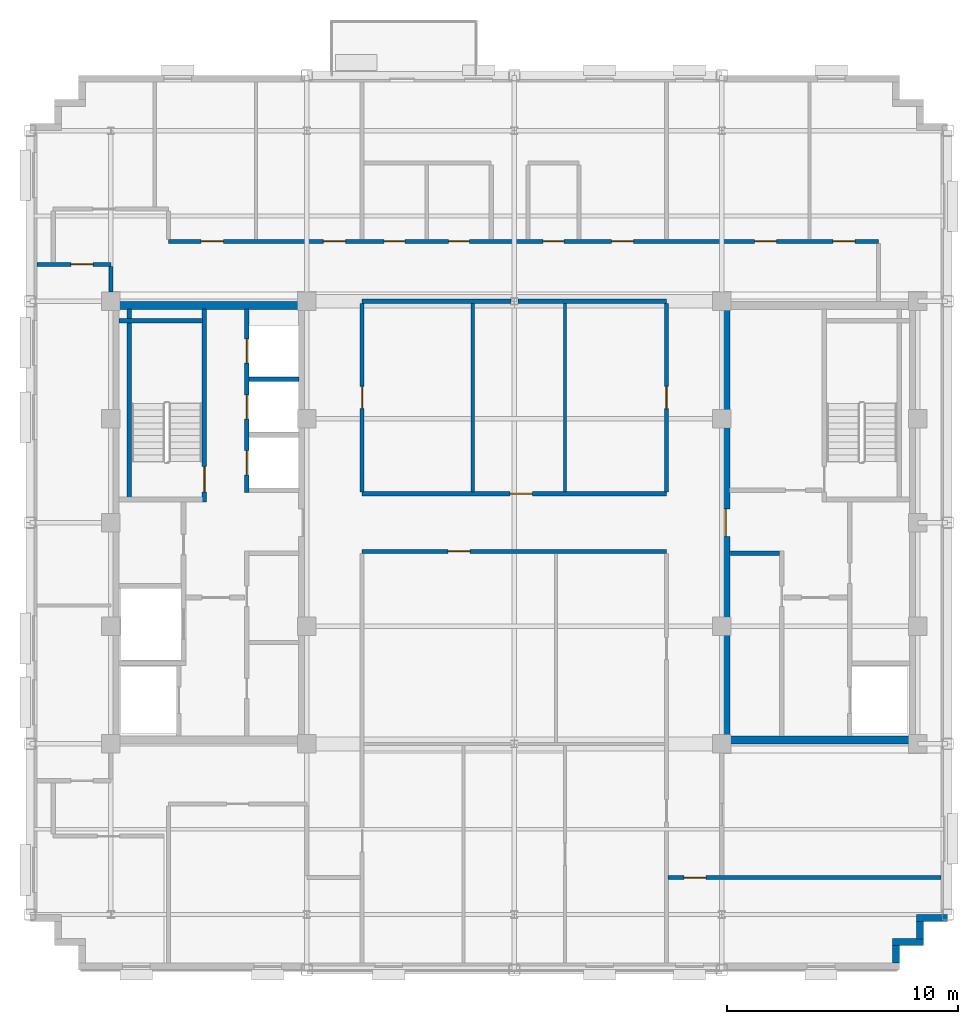
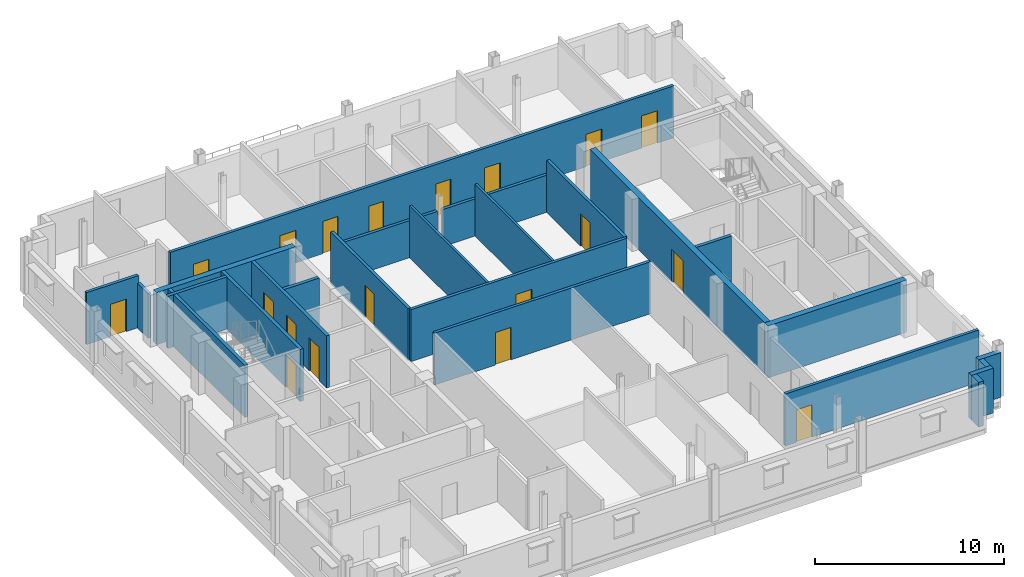
# One storey, part 7 of 14: 25 walls, 19 doors, 19 openings.
"""IFC4 building model written with IfcOpenShell, lengths in metres."""

from ifc_helpers import new_model, si_unit, direction, frame, frame_2d, origin, place, context, subcontext, project, spatial, rectangle, extrude, source, transform, mapped, material, layer, layer_set, type_object, type_shapes, element, fill, save


model = new_model("IFC4")

# Units and contexts
model_context = context("Model", 3, precision=1e-05, world=origin(), true_north=direction((0.0, 1.0)))
body_context = subcontext(model_context, "Body", "Model", "MODEL_VIEW")
ifc_project = project(units=[si_unit("LENGTHUNIT", "METRE"), si_unit("AREAUNIT", "SQUARE_METRE"), si_unit("VOLUMEUNIT", "CUBIC_METRE"), si_unit("PLANEANGLEUNIT", "RADIAN"), si_unit("MASSUNIT", "GRAM", prefix="KILO")], contexts=[model_context])

# Site, building, storey
site_placement = place(None, origin())
site = spatial("IfcSite", under=ifc_project, at=site_placement, CompositionType="ELEMENT")
building_placement = place(site_placement, origin())
building = spatial("IfcBuilding", under=site, at=building_placement, Name="Nuvemarco Arch Tower", CompositionType="ELEMENT")
storey_placement = place(building_placement, frame((0.0, 0.0, 268.89990234375)))
storey = spatial("IfcBuildingStorey", under=building, at=storey_placement, Name="L71", CompositionType="ELEMENT", Elevation=268.89990234375)

# Walls
ifc_material_1 = material(Name="Precast concrete C45/55", Category="concrete")
ifc_layer_1 = layer(ifc_material_1, 0.300048828125, Name="EW-HIGH-300")
ifc_layer_set_1 = layer_set([ifc_layer_1], Name="Precast concrete C45/55")
wall_type_1 = type_object("IfcWallType", Name="EW-HIGH-300", PredefinedType="STANDARD", material=ifc_layer_set_1)
wall_1_placement = place(storey_placement, frame((16.550048828125, -19.10400390625, 0.0), z_axis=(0.0, 0.0, 1.0), x_axis=(0.0, 1.0, 0.0)))
element("IfcWall", 1, at=wall_1_placement, inside=storey, type_object=wall_type_1, Name="L71 exterior precast facade wall 2", PredefinedType="STANDARD", context=body_context, shape_type="SweptSolid", body=[
    extrude(rectangle(XDim=0.758056640625, YDim=0.300048828125, at=frame_2d((0.37890625, 0.0))), origin(), (0.0, 0.0, 1.0), 2.89208984375),
])
wall_2_placement = place(storey_placement, frame((16.39990234375, -18.199951171875, 0.0), z_axis=(0.0, 0.0, 1.0), x_axis=(1.0, 0.0, 0.0)))
element("IfcWall", 2, at=wall_2_placement, inside=storey, type_object=wall_type_1, Name="L71 exterior precast facade wall 3", PredefinedType="STANDARD", context=body_context, shape_type="SweptSolid", body=[
    extrude(rectangle(XDim=1.35009765625, YDim=0.300048828125, at=frame_2d((0.675048828125, 0.0))), origin(), (0.0, 0.0, 1.0), 2.89208984375),
])
wall_3_placement = place(storey_placement, frame((17.60009765625, -18.053955078125, 0.0), z_axis=(0.0, 0.0, 1.0), x_axis=(0.0, 1.0, 0.0)))
element("IfcWall", 3, at=wall_3_placement, inside=storey, type_object=wall_type_1, Name="L71 exterior precast facade wall 4", PredefinedType="STANDARD", context=body_context, shape_type="SweptSolid", body=[
    extrude(rectangle(XDim=0.758056640625, YDim=0.300048828125, at=frame_2d((0.37890625, 0.0))), origin(), (0.0, 0.0, 1.0), 2.89208984375),
])
wall_4_placement = place(storey_placement, frame((17.449951171875, -17.14990234375, 0.0), z_axis=(0.0, 0.0, 1.0), x_axis=(1.0, 0.0, 0.0)))
element("IfcWall", 4, at=wall_4_placement, inside=storey, type_object=wall_type_1, Name="L71 exterior precast facade wall 5", PredefinedType="STANDARD", context=body_context, shape_type="SweptSolid", body=[
    extrude(rectangle(XDim=1.35009765625, YDim=0.300048828125, at=frame_2d((0.675048828125, 0.0))), origin(), (0.0, 0.0, 1.0), 2.89208984375),
])
ifc_material_2 = material(Name="Concrete C50/60", Category="concrete")
ifc_layer_2 = layer(ifc_material_2, 0.35009765625, Name="WL-CORE-350")
ifc_layer_set_2 = layer_set([ifc_layer_2], Name="Concrete C50/60")
wall_type_2 = type_object("IfcWallType", Name="WL-CORE-350", PredefinedType="SHEAR", material=ifc_layer_set_2)
for number, where, z_axis, x_axis, name in (
    (5, (-17.5, 9.425048828125, 0.0), (0.0, 0.0, 1.0), (1.0, 0.0, 0.0), "L71 W-core shear wall N"),
    (6, (9.0, -9.425048828125, 0.0), (0.0, 0.0, 1.0), (1.0, 0.0, 0.0), "L71 E-core shear wall S"),
):
    element("IfcWall", number, at=place(storey_placement, frame(where, z_axis=z_axis, x_axis=x_axis)), inside=storey, type_object=wall_type_2, Name=name, PredefinedType="SHEAR", context=body_context, shape_type="SweptSolid", body=[
        extrude(rectangle(XDim=8.5, YDim=0.35009765625, at=frame_2d((4.25, 0.0))), origin(), (0.0, 0.0, 1.0), 3.3701171875),
    ])

# Wall, opening, door
wall_5_placement = place(storey_placement, frame((9.175048828125, -9.2548828125, 0.0), z_axis=(0.0, 0.0, 1.0), x_axis=(0.0, 1.0, 0.0)))
wall_5 = element("IfcWall", 7, at=wall_5_placement, inside=storey, type_object=wall_type_2, Name="L71 E-core shear wall W", PredefinedType="SHEAR", context=body_context, shape_type="SweptSolid", body=[
    extrude(rectangle(XDim=18.509765625, YDim=0.35009765625, at=frame_2d((9.2548828125, 0.0))), origin(), (0.0, 0.0, 1.0), 3.3701171875),
])
opening_1_placement = place(wall_5_placement, frame((8.655029296875, 0.0, 0.0)))
opening_1 = element("IfcOpeningElement", 8, at=opening_1_placement, cuts=wall_5, Name="Opening FD-2", PredefinedType="OPENING", context=body_context, shape_type="SweptSolid", body=[
    extrude(rectangle(XDim=1.199951171875, YDim=2.14990234375, at=frame_2d((0.60009765625, 1.074951171875))), frame((0.0, 0.18505859375, 0.0), z_axis=(0.0, -1.0, 0.0), x_axis=(1.0, 0.0, 0.0)), (0.0, 0.0, 1.0), 0.3701171875),
])
ifc_material_3 = material(Name="Anodised steel fire door", Category="steel")
door_type_1 = type_object("IfcDoorType", Name="DR-FFLOB-FD", OperationType="NOTDEFINED", PredefinedType="DOOR", material=ifc_material_3)
shared_shape_1 = source(origin(), body_context, "Body", "SweptSolid", [
    extrude(rectangle(XDim=1.199951171875, YDim=2.14990234375, at=frame_2d((0.60009765625, 1.074951171875))), frame((0.0, 0.02490234375, 0.0), z_axis=(0.0, -1.0, 0.0), x_axis=(1.0, 0.0, 0.0)), (0.0, 0.0, 1.0), 0.050048828125),
])
type_shapes(door_type_1, [shared_shape_1])
door_1_placement = place(opening_1_placement, origin())
door_1 = element("IfcDoor", 9, at=door_1_placement, inside=storey, type_object=door_type_1, Name="L71 door FD-L71-ECORE-W", OperationType="SINGLE_SWING_LEFT", OverallHeight=2.14990234375, OverallWidth=1.199951171875, PredefinedType="DOOR", context=body_context, shape_type="MappedRepresentation", body=[
    mapped(shared_shape_1, transform((0.0, 0.0, 0.0), scale=1.0)),
])
fill(opening_1, door_1)

ifc_material_4 = material(Name="Fire-rated gypsum drywall partition")
ifc_layer_3 = layer(ifc_material_4, 0.179931640625, Name="WL-CORR-180")
ifc_layer_set_3 = layer_set([ifc_layer_3], Name="Fire-rated gypsum drywall partition")
wall_type_3 = type_object("IfcWallType", Name="WL-CORR-180", PredefinedType="PARTITIONING", material=ifc_layer_set_3)
wall_6_placement = place(storey_placement, frame((6.660888671875, -15.39990234375, 0.0), z_axis=(0.0, 0.0, 1.0), x_axis=(1.0, 0.0, 0.0)))
wall_6 = element("IfcWall", 10, at=wall_6_placement, inside=storey, type_object=wall_type_3, Name="L71 interior wall IW-L71-002", PredefinedType="PARTITIONING", context=body_context, shape_type="SweptSolid", body=[
    extrude(rectangle(XDim=11.839111328125, YDim=0.179931640625, at=frame_2d((5.91943359375, 0.0))), origin(), (0.0, 0.0, 1.0), 3.360107421875),
])
opening_2_placement = place(wall_6_placement, frame((0.689453125, 0.0, 0.0)))
opening_2 = element("IfcOpeningElement", 11, at=opening_2_placement, cuts=wall_6, Name="Opening FD-5", PredefinedType="OPENING", context=body_context, shape_type="SweptSolid", body=[
    extrude(rectangle(XDim=0.9599609375, YDim=2.10009765625, at=frame_2d((0.47998046875, 1.050048828125))), frame((0.0, 0.099853515625, 0.0), z_axis=(0.0, -1.0, 0.0), x_axis=(1.0, 0.0, 0.0)), (0.0, 0.0, 1.0), 0.199951171875),
])
ifc_material_5 = material(Name="Timber fire door", Category="wood")
door_type_2 = type_object("IfcDoorType", Name="DR-CORR-FD", OperationType="NOTDEFINED", PredefinedType="DOOR", material=ifc_material_5)
shared_shape_2 = source(origin(), body_context, "Body", "SweptSolid", [
    extrude(rectangle(XDim=0.9599609375, YDim=2.10009765625, at=frame_2d((0.47998046875, 1.050048828125))), frame((0.0, 0.02490234375, 0.0), z_axis=(0.0, -1.0, 0.0), x_axis=(1.0, 0.0, 0.0)), (0.0, 0.0, 1.0), 0.050048828125),
])
type_shapes(door_type_2, [shared_shape_2])
door_2_placement = place(opening_2_placement, origin())
door_2 = element("IfcDoor", 12, at=door_2_placement, inside=storey, type_object=door_type_2, Name="L71 door DR-L71-S_7", OperationType="SINGLE_SWING_LEFT", OverallHeight=2.10009765625, OverallWidth=0.9599609375, PredefinedType="DOOR", context=body_context, shape_type="MappedRepresentation", body=[
    mapped(shared_shape_2, transform((0.0, 0.0, 0.0), scale=1.0)),
])
fill(opening_2, door_2)

wall_7_placement = place(storey_placement, frame((-6.60009765625, -1.25, 0.0), z_axis=(0.0, 0.0, 1.0), x_axis=(1.0, 0.0, 0.0)))
wall_7 = element("IfcWall", 13, at=wall_7_placement, inside=storey, type_object=wall_type_3, Name="L71 interior wall IW-L71-009", PredefinedType="PARTITIONING", context=body_context, shape_type="SweptSolid", body=[
    extrude(rectangle(XDim=13.2001953125, YDim=0.179931640625, at=frame_2d((6.60009765625, 0.0))), origin(), (0.0, 0.0, 1.0), 3.360107421875),
])
opening_3_placement = place(wall_7_placement, frame((3.719970703125, 0.0, 0.0)))
opening_3 = element("IfcOpeningElement", 14, at=opening_3_placement, cuts=wall_7, Name="Opening FD-5", PredefinedType="OPENING", context=body_context, shape_type="SweptSolid", body=[
    extrude(rectangle(XDim=0.9599609375, YDim=2.10009765625, at=frame_2d((0.47998046875, 1.050048828125))), frame((0.0, 0.099853515625, 0.0), z_axis=(0.0, -1.0, 0.0), x_axis=(1.0, 0.0, 0.0)), (0.0, 0.0, 1.0), 0.199951171875),
])
door_3_placement = place(opening_3_placement, origin())
door_3 = element("IfcDoor", 15, at=door_3_placement, inside=storey, type_object=door_type_2, Name="L71 door DR-L71-C_S1", OperationType="SINGLE_SWING_LEFT", OverallHeight=2.10009765625, OverallWidth=0.9599609375, PredefinedType="DOOR", context=body_context, shape_type="MappedRepresentation", body=[
    mapped(shared_shape_2, transform((0.0, 0.0, 0.0), scale=1.0)),
])
fill(opening_3, door_3)

wall_8_placement = place(storey_placement, frame((-6.60009765625, 1.25, 0.0), z_axis=(0.0, 0.0, 1.0), x_axis=(1.0, 0.0, 0.0)))
wall_8 = element("IfcWall", 16, at=wall_8_placement, inside=storey, type_object=wall_type_3, Name="L71 interior wall IW-L71-010", PredefinedType="PARTITIONING", context=body_context, shape_type="SweptSolid", body=[
    extrude(rectangle(XDim=13.2001953125, YDim=0.179931640625, at=frame_2d((6.60009765625, 0.0))), origin(), (0.0, 0.0, 1.0), 3.360107421875),
])
opening_4_placement = place(wall_8_placement, frame((6.419921875, 0.0, 0.0)))
opening_4 = element("IfcOpeningElement", 17, at=opening_4_placement, cuts=wall_8, Name="Opening FD-5", PredefinedType="OPENING", context=body_context, shape_type="SweptSolid", body=[
    extrude(rectangle(XDim=0.9599609375, YDim=2.10009765625, at=frame_2d((0.47998046875, 1.050048828125))), frame((0.0, 0.099853515625, 0.0), z_axis=(0.0, -1.0, 0.0), x_axis=(1.0, 0.0, 0.0)), (0.0, 0.0, 1.0), 0.199951171875),
])
door_4_placement = place(opening_4_placement, origin())
door_4 = element("IfcDoor", 18, at=door_4_placement, inside=storey, type_object=door_type_2, Name="L71 door DR-L71-C_N2", OperationType="SINGLE_SWING_RIGHT", OverallHeight=2.10009765625, OverallWidth=0.9599609375, PredefinedType="DOOR", context=body_context, shape_type="MappedRepresentation", body=[
    mapped(shared_shape_2, transform((0.0, 0.0, 0.0), scale=1.0)),
])
fill(opening_4, door_4)

# Walls
for number, where, z_axis, x_axis, name in (
    (19, (-6.60009765625, 9.60009765625, 0.0), (0.0, 0.0, 1.0), (1.0, 0.0, 0.0), "L71 interior wall IW-L71-011"),
    (20, (0.15087890625, 9.60009765625, 0.0), (0.0, 0.0, 1.0), (1.0, 0.0, 0.0), "L71 interior wall IW-L71-012"),
):
    element("IfcWall", number, at=place(storey_placement, frame(where, z_axis=z_axis, x_axis=x_axis)), inside=storey, type_object=wall_type_3, Name=name, PredefinedType="PARTITIONING", context=body_context, shape_type="SweptSolid", body=[
        extrude(rectangle(XDim=6.44921875, YDim=0.179931640625, at=frame_2d((3.224609375, 0.0))), origin(), (0.0, 0.0, 1.0), 2.405029296875),
    ])

# Wall, opening, door
wall_9_placement = place(storey_placement, frame((-20.699951171875, 11.199951171875, 0.0), z_axis=(0.0, 0.0, 1.0), x_axis=(1.0, 0.0, 0.0)))
wall_9 = element("IfcWall", 21, at=wall_9_placement, inside=storey, type_object=wall_type_3, Name="L71 interior wall IW-L71-013", PredefinedType="PARTITIONING", context=body_context, shape_type="SweptSolid", body=[
    extrude(rectangle(XDim=3.199951171875, YDim=0.179931640625, at=frame_2d((1.60009765625, 0.0))), origin(), (0.0, 0.0, 1.0), 3.360107421875),
])
opening_5_placement = place(wall_9_placement, frame((1.469970703125, 0.0, 0.0)))
opening_5 = element("IfcOpeningElement", 22, at=opening_5_placement, cuts=wall_9, Name="Opening FD-5", PredefinedType="OPENING", context=body_context, shape_type="SweptSolid", body=[
    extrude(rectangle(XDim=0.9599609375, YDim=2.10009765625, at=frame_2d((0.47998046875, 1.050048828125))), frame((0.0, 0.099853515625, 0.0), z_axis=(0.0, -1.0, 0.0), x_axis=(1.0, 0.0, 0.0)), (0.0, 0.0, 1.0), 0.199951171875),
])
door_5_placement = place(opening_5_placement, origin())
door_5 = element("IfcDoor", 23, at=door_5_placement, inside=storey, type_object=door_type_2, Name="L71 door DR-L71-W_2", OperationType="SINGLE_SWING_LEFT", OverallHeight=2.10009765625, OverallWidth=0.9599609375, PredefinedType="DOOR", context=body_context, shape_type="MappedRepresentation", body=[
    mapped(shared_shape_2, transform((0.0, 0.0, 0.0), scale=1.0)),
])
fill(opening_5, door_5)

# Wall, openings, doors
wall_10_placement = place(storey_placement, frame((-15.0, 12.199951171875, 0.0), z_axis=(0.0, 0.0, 1.0), x_axis=(1.0, 0.0, 0.0)))
wall_10 = element("IfcWall", 24, at=wall_10_placement, inside=storey, type_object=wall_type_3, Name="L71 interior wall IW-L71-014", PredefinedType="PARTITIONING", context=body_context, shape_type="SweptSolid", body=[
    extrude(rectangle(XDim=30.800048828125, YDim=0.179931640625, at=frame_2d((15.39990234375, 0.0))), origin(), (0.0, 0.0, 1.0), 3.360107421875),
])
opening_6_placement = place(wall_10_placement, frame((1.419921875, 0.0, 0.0)))
opening_6 = element("IfcOpeningElement", 25, at=opening_6_placement, cuts=wall_10, Name="Opening FD-5", PredefinedType="OPENING", context=body_context, shape_type="SweptSolid", body=[
    extrude(rectangle(XDim=0.9599609375, YDim=2.10009765625, at=frame_2d((0.47998046875, 1.050048828125))), frame((0.0, 0.099853515625, 0.0), z_axis=(0.0, -1.0, 0.0), x_axis=(1.0, 0.0, 0.0)), (0.0, 0.0, 1.0), 0.199951171875),
])
opening_7_placement = place(wall_10_placement, frame((25.419921875, 0.0, 0.0)))
opening_7 = element("IfcOpeningElement", 26, at=opening_7_placement, cuts=wall_10, Name="Opening FD-5", PredefinedType="OPENING", context=body_context, shape_type="SweptSolid", body=[
    extrude(rectangle(XDim=0.9599609375, YDim=2.10009765625, at=frame_2d((0.47998046875, 1.050048828125))), frame((0.0, 0.099853515625, 0.0), z_axis=(0.0, -1.0, 0.0), x_axis=(1.0, 0.0, 0.0)), (0.0, 0.0, 1.0), 0.199951171875),
])
opening_8_placement = place(wall_10_placement, frame((19.219970703125, 0.0, 0.0)))
opening_8 = element("IfcOpeningElement", 27, at=opening_8_placement, cuts=wall_10, Name="Opening FD-5", PredefinedType="OPENING", context=body_context, shape_type="SweptSolid", body=[
    extrude(rectangle(XDim=0.9599609375, YDim=2.10009765625, at=frame_2d((0.47998046875, 1.050048828125))), frame((0.0, 0.099853515625, 0.0), z_axis=(0.0, -1.0, 0.0), x_axis=(1.0, 0.0, 0.0)), (0.0, 0.0, 1.0), 0.199951171875),
])
opening_9_placement = place(wall_10_placement, frame((28.820068359375, 0.0, 0.0)))
opening_9 = element("IfcOpeningElement", 28, at=opening_9_placement, cuts=wall_10, Name="Opening FD-5", PredefinedType="OPENING", context=body_context, shape_type="SweptSolid", body=[
    extrude(rectangle(XDim=0.9599609375, YDim=2.10009765625, at=frame_2d((0.47998046875, 1.050048828125))), frame((0.0, 0.099853515625, 0.0), z_axis=(0.0, -1.0, 0.0), x_axis=(1.0, 0.0, 0.0)), (0.0, 0.0, 1.0), 0.199951171875),
])
opening_10_placement = place(wall_10_placement, frame((9.35009765625, 0.0, 0.0)))
opening_10 = element("IfcOpeningElement", 29, at=opening_10_placement, cuts=wall_10, Name="Opening ID-3", PredefinedType="OPENING", context=body_context, shape_type="SweptSolid", body=[
    extrude(rectangle(XDim=0.89990234375, YDim=2.10009765625, at=frame_2d((0.449951171875, 1.050048828125))), frame((0.0, 0.099853515625, 0.0), z_axis=(0.0, -1.0, 0.0), x_axis=(1.0, 0.0, 0.0)), (0.0, 0.0, 1.0), 0.199951171875),
])
opening_11_placement = place(wall_10_placement, frame((12.14990234375, 0.0, 0.0)))
opening_11 = element("IfcOpeningElement", 30, at=opening_11_placement, cuts=wall_10, Name="Opening ID-3", PredefinedType="OPENING", context=body_context, shape_type="SweptSolid", body=[
    extrude(rectangle(XDim=0.89990234375, YDim=2.10009765625, at=frame_2d((0.449951171875, 1.050048828125))), frame((0.0, 0.099853515625, 0.0), z_axis=(0.0, -1.0, 0.0), x_axis=(1.0, 0.0, 0.0)), (0.0, 0.0, 1.0), 0.199951171875),
])
opening_12_placement = place(wall_10_placement, frame((6.719970703125, 0.0, 0.0)))
opening_12 = element("IfcOpeningElement", 31, at=opening_12_placement, cuts=wall_10, Name="Opening FD-5", PredefinedType="OPENING", context=body_context, shape_type="SweptSolid", body=[
    extrude(rectangle(XDim=0.9599609375, YDim=2.10009765625, at=frame_2d((0.47998046875, 1.050048828125))), frame((0.0, 0.099853515625, 0.0), z_axis=(0.0, -1.0, 0.0), x_axis=(1.0, 0.0, 0.0)), (0.0, 0.0, 1.0), 0.199951171875),
])
opening_13_placement = place(wall_10_placement, frame((16.25, 0.0, 0.0)))
opening_13 = element("IfcOpeningElement", 32, at=opening_13_placement, cuts=wall_10, Name="Opening ID-3", PredefinedType="OPENING", context=body_context, shape_type="SweptSolid", body=[
    extrude(rectangle(XDim=0.89990234375, YDim=2.10009765625, at=frame_2d((0.449951171875, 1.050048828125))), frame((0.0, 0.099853515625, 0.0), z_axis=(0.0, -1.0, 0.0), x_axis=(1.0, 0.0, 0.0)), (0.0, 0.0, 1.0), 0.199951171875),
])
door_6_placement = place(opening_6_placement, origin())
door_6 = element("IfcDoor", 33, at=door_6_placement, inside=storey, type_object=door_type_2, Name="L71 door DR-L71-N_2", OperationType="SINGLE_SWING_LEFT", OverallHeight=2.10009765625, OverallWidth=0.9599609375, PredefinedType="DOOR", context=body_context, shape_type="MappedRepresentation", body=[
    mapped(shared_shape_2, transform((0.0, 0.0, 0.0), scale=1.0)),
])
fill(opening_6, door_6)
door_7_placement = place(opening_7_placement, origin())
door_7 = element("IfcDoor", 34, at=door_7_placement, inside=storey, type_object=door_type_2, Name="L71 door DR-L71-N_5", OperationType="SINGLE_SWING_RIGHT", OverallHeight=2.10009765625, OverallWidth=0.9599609375, PredefinedType="DOOR", context=body_context, shape_type="MappedRepresentation", body=[
    mapped(shared_shape_2, transform((0.0, 0.0, 0.0), scale=1.0)),
])
fill(opening_7, door_7)
door_8_placement = place(opening_8_placement, origin())
door_8 = element("IfcDoor", 35, at=door_8_placement, inside=storey, type_object=door_type_2, Name="L71 door DR-L71-N_4", OperationType="SINGLE_SWING_LEFT", OverallHeight=2.10009765625, OverallWidth=0.9599609375, PredefinedType="DOOR", context=body_context, shape_type="MappedRepresentation", body=[
    mapped(shared_shape_2, transform((0.0, 0.0, 0.0), scale=1.0)),
])
fill(opening_8, door_8)
door_9_placement = place(opening_9_placement, origin())
door_9 = element("IfcDoor", 36, at=door_9_placement, inside=storey, type_object=door_type_2, Name="L71 door DR-L71-N_6", OperationType="SINGLE_SWING_LEFT", OverallHeight=2.10009765625, OverallWidth=0.9599609375, PredefinedType="DOOR", context=body_context, shape_type="MappedRepresentation", body=[
    mapped(shared_shape_2, transform((0.0, 0.0, 0.0), scale=1.0)),
])
fill(opening_9, door_9)
door_10_placement = place(opening_12_placement, origin())
door_10 = element("IfcDoor", 37, at=door_10_placement, inside=storey, type_object=door_type_2, Name="L71 door DR-L71-N_3", OperationType="SINGLE_SWING_RIGHT", OverallHeight=2.10009765625, OverallWidth=0.9599609375, PredefinedType="DOOR", context=body_context, shape_type="MappedRepresentation", body=[
    mapped(shared_shape_2, transform((0.0, 0.0, 0.0), scale=1.0)),
])
fill(opening_12, door_10)
ifc_material_6 = material(Name="Veneered oak timber fire door", Category="wood")
door_type_3 = type_object("IfcDoorType", Name="DR-WC-ACC", OperationType="NOTDEFINED", PredefinedType="DOOR", material=ifc_material_6)
shared_shape_3 = source(origin(), body_context, "Body", "SweptSolid", [
    extrude(rectangle(XDim=0.89990234375, YDim=2.10009765625, at=frame_2d((0.449951171875, 1.050048828125))), frame((0.0, 0.02490234375, 0.0), z_axis=(0.0, -1.0, 0.0), x_axis=(1.0, 0.0, 0.0)), (0.0, 0.0, 1.0), 0.050048828125),
])
type_shapes(door_type_3, [shared_shape_3])
door_11_placement = place(opening_10_placement, origin())
door_11 = element("IfcDoor", 38, at=door_11_placement, inside=storey, type_object=door_type_3, Name="L71 door DR-L71-WC_M", OperationType="SINGLE_SWING_RIGHT", OverallHeight=2.10009765625, OverallWidth=0.89990234375, PredefinedType="DOOR", context=body_context, shape_type="MappedRepresentation", body=[
    mapped(shared_shape_3, transform((0.0, 0.0, 0.0), scale=1.0)),
])
fill(opening_10, door_11)
door_12_placement = place(opening_11_placement, origin())
door_12 = element("IfcDoor", 39, at=door_12_placement, inside=storey, type_object=door_type_3, Name="L71 door DR-L71-WC_F", OperationType="SINGLE_SWING_LEFT", OverallHeight=2.10009765625, OverallWidth=0.89990234375, PredefinedType="DOOR", context=body_context, shape_type="MappedRepresentation", body=[
    mapped(shared_shape_3, transform((0.0, 0.0, 0.0), scale=1.0)),
])
fill(opening_11, door_12)
door_13_placement = place(opening_13_placement, origin())
door_13 = element("IfcDoor", 40, at=door_13_placement, inside=storey, type_object=door_type_3, Name="L71 door DR-L71-WC_ACC", OperationType="SINGLE_SWING_RIGHT", OverallHeight=2.10009765625, OverallWidth=0.89990234375, PredefinedType="DOOR", context=body_context, shape_type="MappedRepresentation", body=[
    mapped(shared_shape_3, transform((0.0, 0.0, 0.0), scale=1.0)),
])
fill(opening_13, door_13)

# Wall
wall_11_placement = place(storey_placement, frame((-17.5, 9.99609375, 0.0), z_axis=(0.0, 0.0, 1.0), x_axis=(0.0, 1.0, 0.0)))
element("IfcWall", 41, at=wall_11_placement, inside=storey, type_object=wall_type_3, Name="L71 interior wall IW-L71-021", PredefinedType="PARTITIONING", context=body_context, shape_type="SweptSolid", body=[
    extrude(rectangle(XDim=1.117919921875, YDim=0.179931640625, at=frame_2d((0.55908203125, 0.0))), origin(), (0.0, 0.0, 1.0), 2.89208984375),
])

# Wall, opening, door
wall_12_placement = place(storey_placement, frame((-6.60009765625, 1.3359375, 0.0), z_axis=(0.0, 0.0, 1.0), x_axis=(0.0, 1.0, 0.0)))
wall_12 = element("IfcWall", 42, at=wall_12_placement, inside=storey, type_object=wall_type_3, Name="L71 interior wall IW-L71-028", PredefinedType="PARTITIONING", context=body_context, shape_type="SweptSolid", body=[
    extrude(rectangle(XDim=8.177978515625, YDim=0.179931640625, at=frame_2d((4.0888671875, 0.0))), origin(), (0.0, 0.0, 1.0), 3.360107421875),
])
opening_14_placement = place(wall_12_placement, frame((3.60888671875, 0.0, 0.0)))
opening_14 = element("IfcOpeningElement", 43, at=opening_14_placement, cuts=wall_12, Name="Opening FD-5", PredefinedType="OPENING", context=body_context, shape_type="SweptSolid", body=[
    extrude(rectangle(XDim=0.9599609375, YDim=2.10009765625, at=frame_2d((0.47998046875, 1.050048828125))), frame((0.0, 0.099853515625, 0.0), z_axis=(0.0, -1.0, 0.0), x_axis=(1.0, 0.0, 0.0)), (0.0, 0.0, 1.0), 0.199951171875),
])
door_14_placement = place(opening_14_placement, origin())
door_14 = element("IfcDoor", 44, at=door_14_placement, inside=storey, type_object=door_type_2, Name="L71 door DR-L71-C_N1", OperationType="SINGLE_SWING_LEFT", OverallHeight=2.10009765625, OverallWidth=0.9599609375, PredefinedType="DOOR", context=body_context, shape_type="MappedRepresentation", body=[
    mapped(shared_shape_2, transform((0.0, 0.0, 0.0), scale=1.0)),
])
fill(opening_14, door_14)

wall_13_placement = place(storey_placement, frame((6.60009765625, 1.3359375, 0.0), z_axis=(0.0, 0.0, 1.0), x_axis=(0.0, 1.0, 0.0)))
wall_13 = element("IfcWall", 45, at=wall_13_placement, inside=storey, type_object=wall_type_3, Name="L71 interior wall IW-L71-040", PredefinedType="PARTITIONING", context=body_context, shape_type="SweptSolid", body=[
    extrude(rectangle(XDim=8.177978515625, YDim=0.179931640625, at=frame_2d((4.0888671875, 0.0))), origin(), (0.0, 0.0, 1.0), 3.360107421875),
])
opening_15_placement = place(wall_13_placement, frame((3.60888671875, 0.0, 0.0)))
opening_15 = element("IfcOpeningElement", 46, at=opening_15_placement, cuts=wall_13, Name="Opening FD-5", PredefinedType="OPENING", context=body_context, shape_type="SweptSolid", body=[
    extrude(rectangle(XDim=0.9599609375, YDim=2.10009765625, at=frame_2d((0.47998046875, 1.050048828125))), frame((0.0, 0.099853515625, 0.0), z_axis=(0.0, -1.0, 0.0), x_axis=(1.0, 0.0, 0.0)), (0.0, 0.0, 1.0), 0.199951171875),
])
door_15_placement = place(opening_15_placement, origin())
door_15 = element("IfcDoor", 47, at=door_15_placement, inside=storey, type_object=door_type_2, Name="L71 door DR-L71-C_N3", OperationType="SINGLE_SWING_RIGHT", OverallHeight=2.10009765625, OverallWidth=0.9599609375, PredefinedType="DOOR", context=body_context, shape_type="MappedRepresentation", body=[
    mapped(shared_shape_2, transform((0.0, 0.0, 0.0), scale=1.0)),
])
fill(opening_15, door_15)

# Walls
ifc_material_7 = material(Name="Gypsum plasterboard partition")
ifc_layer_4 = layer(ifc_material_7, 0.139892578125, Name="WL-ROOM-140")
ifc_layer_set_4 = layer_set([ifc_layer_4], Name="Gypsum plasterboard partition")
wall_type_4 = type_object("IfcWallType", Name="WL-ROOM-140", PredefinedType="PARTITIONING", material=ifc_layer_set_4)
for number, where, z_axis, x_axis, name in (
    (48, (-1.800048828125, 1.3359375, 0.0), (0.0, 0.0, 1.0), (0.0, 1.0, 0.0), "L71 interior wall IW-L71-032"),
    (49, (2.199951171875, 1.3359375, 0.0), (0.0, 0.0, 1.0), (0.0, 1.0, 0.0), "L71 interior wall IW-L71-037"),
):
    element("IfcWall", number, at=place(storey_placement, frame(where, z_axis=z_axis, x_axis=x_axis)), inside=storey, type_object=wall_type_4, Name=name, PredefinedType="PARTITIONING", context=body_context, shape_type="SweptSolid", body=[
        extrude(rectangle(XDim=8.177978515625, YDim=0.139892578125, at=frame_2d((4.0888671875, 0.0))), origin(), (0.0, 0.0, 1.0), 3.360107421875),
    ])

# Wall, opening, door
ifc_layer_5 = layer(ifc_material_2, 0.199951171875, Name="WL-SHAFT-220")
ifc_layer_set_5 = layer_set([ifc_layer_5], Name="Concrete C50/60")
wall_type_5 = type_object("IfcWallType", Name="WL-SHAFT-220", PredefinedType="SHEAR", material=ifc_layer_set_5)
wall_14_placement = place(storey_placement, frame((-13.43994140625, 0.89990234375, 0.0), z_axis=(0.0, 0.0, 1.0), x_axis=(0.0, 1.0, 0.0)))
wall_14 = element("IfcWall", 50, at=wall_14_placement, inside=storey, type_object=wall_type_5, Name="L71 structural shaft wall SW-L71-W-ST1E", PredefinedType="SHEAR", context=body_context, shape_type="SweptSolid", body=[
    extrude(rectangle(XDim=8.35498046875, YDim=0.199951171875, at=frame_2d((4.177490234375, 0.0))), origin(), (0.0, 0.0, 1.0), 3.3701171875),
])
opening_16_placement = place(wall_14_placement, frame((1.530029296875, 0.0, 0.0), z_axis=(0.0, 0.0, 1.0), x_axis=(-1.0, 0.0, 0.0)))
opening_16 = element("IfcOpeningElement", 51, at=opening_16_placement, cuts=wall_14, Name="Opening FD-1", PredefinedType="OPENING", context=body_context, shape_type="SweptSolid", body=[
    extrude(rectangle(XDim=1.10009765625, YDim=2.14990234375, at=frame_2d((0.550048828125, 1.074951171875))), frame((0.0, 0.10986328125, 0.0), z_axis=(0.0, -1.0, 0.0), x_axis=(1.0, 0.0, 0.0)), (0.0, 0.0, 1.0), 0.219970703125),
])
door_type_4 = type_object("IfcDoorType", Name="DR-STAIR-FD", OperationType="NOTDEFINED", PredefinedType="DOOR", material=ifc_material_3)
shared_shape_4 = source(origin(), body_context, "Body", "SweptSolid", [
    extrude(rectangle(XDim=1.10009765625, YDim=2.14990234375, at=frame_2d((0.550048828125, 1.074951171875))), frame((0.0, 0.02490234375, 0.0), z_axis=(0.0, -1.0, 0.0), x_axis=(1.0, 0.0, 0.0)), (0.0, 0.0, 1.0), 0.050048828125),
])
type_shapes(door_type_4, [shared_shape_4])
door_16_placement = place(opening_16_placement, origin())
door_16 = element("IfcDoor", 52, at=door_16_placement, inside=storey, type_object=door_type_4, Name="L71 door FD-L71-ST1", OperationType="SINGLE_SWING_LEFT", OverallHeight=2.14990234375, OverallWidth=1.10009765625, PredefinedType="DOOR", context=body_context, shape_type="MappedRepresentation", body=[
    mapped(shared_shape_4, transform((0.0, 0.0, 0.0), scale=1.0)),
])
fill(opening_16, door_16)

# Walls
wall_15_placement = place(storey_placement, frame((-17.155029296875, 8.75, 0.0), z_axis=(0.0, 0.0, 1.0), x_axis=(1.0, 0.0, 0.0)))
element("IfcWall", 53, at=wall_15_placement, inside=storey, type_object=wall_type_5, Name="L71 structural shaft wall SW-L71-W-ST1N", PredefinedType="SHEAR", context=body_context, shape_type="SweptSolid", body=[
    extrude(rectangle(XDim=3.6201171875, YDim=0.199951171875, at=frame_2d((1.81005859375, 0.0))), origin(), (0.0, 0.0, 1.0), 3.3701171875),
])
wall_16_placement = place(storey_placement, frame((-16.699951171875, 1.094970703125, 0.0), z_axis=(0.0, 0.0, 1.0), x_axis=(0.0, 1.0, 0.0)))
element("IfcWall", 54, at=wall_16_placement, inside=storey, type_object=wall_type_5, Name="L71 structural shaft wall SW-L71-W-ST1W", PredefinedType="SHEAR", context=body_context, shape_type="SweptSolid", body=[
    extrude(rectangle(XDim=8.159912109375, YDim=0.199951171875, at=frame_2d((4.080078125, 0.0))), origin(), (0.0, 0.0, 1.0), 3.3701171875),
])

# Wall, openings, doors
wall_17_placement = place(storey_placement, frame((-11.60009765625, 1.300048828125, 0.0), z_axis=(0.0, 0.0, 1.0), x_axis=(0.0, 1.0, 0.0)))
wall_17 = element("IfcWall", 55, at=wall_17_placement, inside=storey, type_object=wall_type_5, Name="L71 structural shaft wall SW-L71-W-PHW", PredefinedType="SHEAR", context=body_context, shape_type="SweptSolid", body=[
    extrude(rectangle(XDim=7.954833984375, YDim=0.199951171875, at=frame_2d((3.9775390625, 0.0))), origin(), (0.0, 0.0, 1.0), 3.3701171875),
])
opening_17_placement = place(wall_17_placement, frame((0.77490234375, 0.0, 0.0)))
opening_17 = element("IfcOpeningElement", 56, at=opening_17_placement, cuts=wall_17, Name="Opening LD-1", PredefinedType="OPENING", context=body_context, shape_type="SweptSolid", body=[
    extrude(rectangle(XDim=1.050048828125, YDim=2.14990234375, at=frame_2d((0.52490234375, 1.074951171875))), frame((0.0, 0.10986328125, 0.0), z_axis=(0.0, -1.0, 0.0), x_axis=(1.0, 0.0, 0.0)), (0.0, 0.0, 1.0), 0.219970703125),
])
opening_18_placement = place(wall_17_placement, frame((3.195068359375, 0.0, 0.0)))
opening_18 = element("IfcOpeningElement", 57, at=opening_18_placement, cuts=wall_17, Name="Opening LD-1", PredefinedType="OPENING", context=body_context, shape_type="SweptSolid", body=[
    extrude(rectangle(XDim=1.050048828125, YDim=2.14990234375, at=frame_2d((0.52490234375, 1.074951171875))), frame((0.0, 0.10986328125, 0.0), z_axis=(0.0, -1.0, 0.0), x_axis=(1.0, 0.0, 0.0)), (0.0, 0.0, 1.0), 0.219970703125),
])
opening_19_placement = place(wall_17_placement, frame((5.614990234375, 0.0, 0.0)))
opening_19 = element("IfcOpeningElement", 58, at=opening_19_placement, cuts=wall_17, Name="Opening LD-1", PredefinedType="OPENING", context=body_context, shape_type="SweptSolid", body=[
    extrude(rectangle(XDim=1.050048828125, YDim=2.14990234375, at=frame_2d((0.52490234375, 1.074951171875))), frame((0.0, 0.10986328125, 0.0), z_axis=(0.0, -1.0, 0.0), x_axis=(1.0, 0.0, 0.0)), (0.0, 0.0, 1.0), 0.219970703125),
])
ifc_material_8 = material(Name="Stainless steel lift door", Category="steel")
door_type_5 = type_object("IfcDoorType", Name="DR-LIFT-PASS", OperationType="DOUBLE_DOOR_SLIDING", PredefinedType="DOOR", material=ifc_material_8)
shared_shape_5 = source(origin(), body_context, "Body", "SweptSolid", [
    extrude(rectangle(XDim=1.050048828125, YDim=2.14990234375, at=frame_2d((0.52490234375, 1.074951171875))), frame((0.0, 0.02490234375, 0.0), z_axis=(0.0, -1.0, 0.0), x_axis=(1.0, 0.0, 0.0)), (0.0, 0.0, 1.0), 0.050048828125),
])
type_shapes(door_type_5, [shared_shape_5])
door_17_placement = place(opening_17_placement, origin())
door_17 = element("IfcDoor", 59, at=door_17_placement, inside=storey, type_object=door_type_5, Name="L71 Lift landing sliding door PH-1", OperationType="DOUBLE_DOOR_SLIDING", OverallHeight=2.14990234375, OverallWidth=1.050048828125, PredefinedType="DOOR", context=body_context, shape_type="MappedRepresentation", body=[
    mapped(shared_shape_5, transform((0.0, 0.0, 0.0), scale=1.0)),
])
fill(opening_17, door_17)
door_18_placement = place(opening_18_placement, origin())
door_18 = element("IfcDoor", 60, at=door_18_placement, inside=storey, type_object=door_type_5, Name="L71 Lift landing sliding door PH-2", OperationType="DOUBLE_DOOR_SLIDING", OverallHeight=2.14990234375, OverallWidth=1.050048828125, PredefinedType="DOOR", context=body_context, shape_type="MappedRepresentation", body=[
    mapped(shared_shape_5, transform((0.0, 0.0, 0.0), scale=1.0)),
])
fill(opening_18, door_18)
door_19_placement = place(opening_19_placement, origin())
door_19 = element("IfcDoor", 61, at=door_19_placement, inside=storey, type_object=door_type_5, Name="L71 Lift landing sliding door PH-3", OperationType="DOUBLE_DOOR_SLIDING", OverallHeight=2.14990234375, OverallWidth=1.050048828125, PredefinedType="DOOR", context=body_context, shape_type="MappedRepresentation", body=[
    mapped(shared_shape_5, transform((0.0, 0.0, 0.0), scale=1.0)),
])
fill(opening_19, door_19)

# Walls
for number, where, z_axis, x_axis, name in (
    (62, (-11.5048828125, 6.219970703125, 0.0), (0.0, 0.0, 1.0), (1.0, 0.0, 0.0), "L71 structural shaft wall SW-L71-W-PHD3"),
    (63, (9.344970703125, -1.330078125, 0.0), (0.0, 0.0, 1.0), (1.0, 0.0, 0.0), "L71 structural shaft wall SW-L71-E-PMTOP"),
):
    element("IfcWall", number, at=place(storey_placement, frame(where, z_axis=z_axis, x_axis=x_axis)), inside=storey, type_object=wall_type_5, Name=name, PredefinedType="SHEAR", context=body_context, shape_type="SweptSolid", body=[
        extrude(rectangle(XDim=2.159912109375, YDim=0.199951171875, at=frame_2d((1.080078125, 0.0))), origin(), (0.0, 0.0, 1.0), 3.3701171875),
    ])

save(model, "model.ifc")
